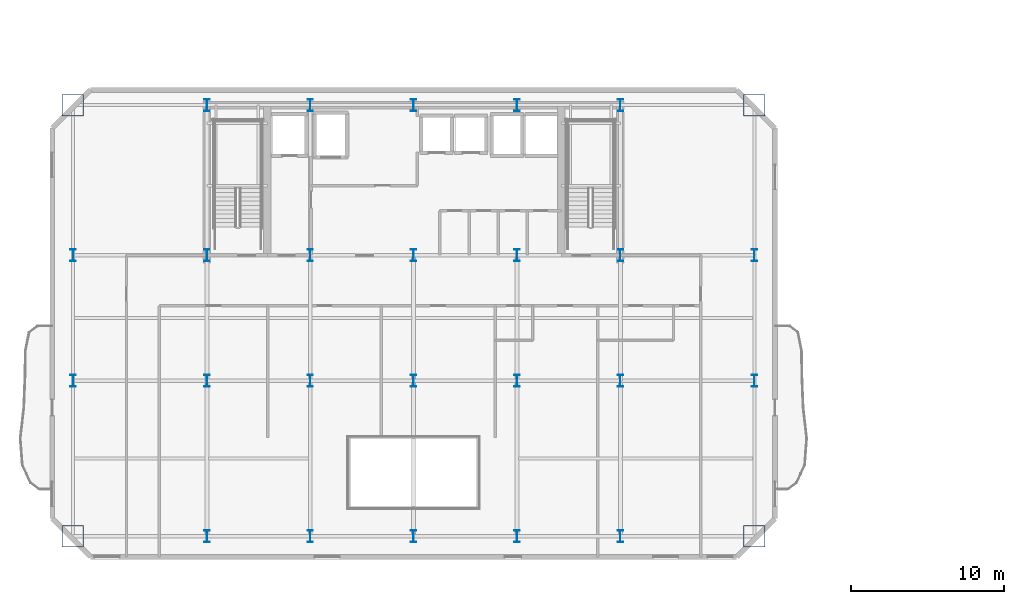
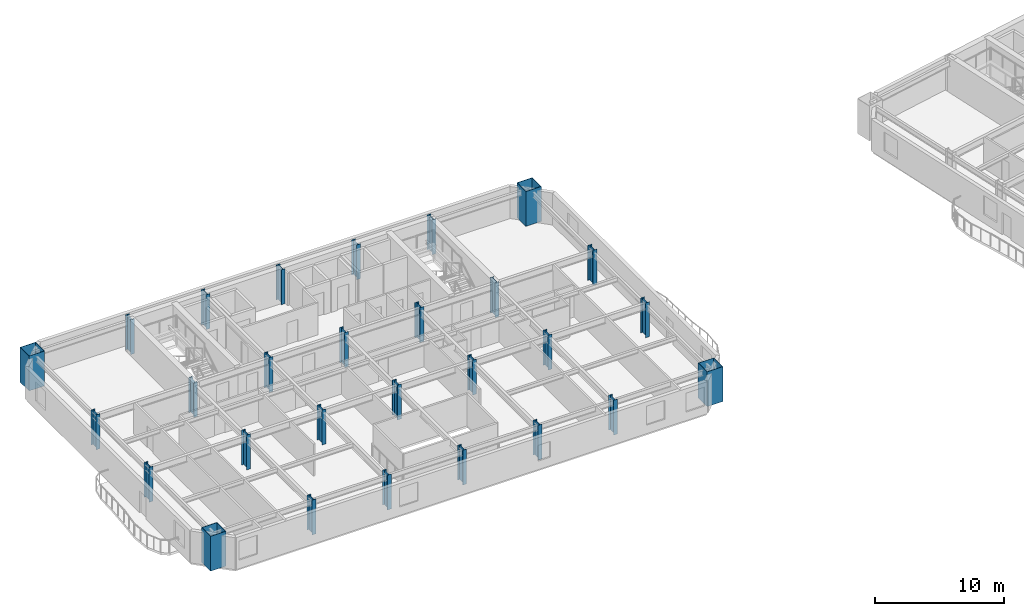
# One storey, part 1 of 13: 28 columns.
"""IFC4 building model written with IfcOpenShell, lengths in metres."""

from ifc_helpers import new_model, si_unit, direction, frame, origin, origin_2d, place, context, subcontext, project, spatial, hollow_rectangle, i_section, extrude, material, material_profile, profile_set, type_object, element, save


model = new_model("IFC4")

# Units and contexts
model_context = context("Model", 3, precision=1e-05, world=origin(), true_north=direction((0.0, 1.0)))
body_context = subcontext(model_context, "Body", "Model", "MODEL_VIEW")
ifc_project = project(units=[si_unit("LENGTHUNIT", "METRE"), si_unit("AREAUNIT", "SQUARE_METRE"), si_unit("VOLUMEUNIT", "CUBIC_METRE"), si_unit("PLANEANGLEUNIT", "RADIAN"), si_unit("MASSUNIT", "GRAM", prefix="KILO")], contexts=[model_context])

# Site, building, storey
site_placement = place(None, origin())
site = spatial("IfcSite", under=ifc_project, at=site_placement, CompositionType="ELEMENT")
building_placement = place(site_placement, origin())
building = spatial("IfcBuilding", under=site, at=building_placement, Name="Haevon Station Towers", CompositionType="ELEMENT")
storey_placement = place(building_placement, frame((0.0, 0.0, 96.60009765625)))
storey = spatial("IfcBuildingStorey", under=building, at=storey_placement, Name="L25", CompositionType="ELEMENT", Elevation=96.60009765625)

# Columns
ifc_material = material(Name="Steel S460", Category="steel")
ifc_material_profile_1 = material_profile(ifc_material, hollow_rectangle(XDim=1.39990234375, YDim=1.39990234375, WallThickness=0.035888671875, at=origin_2d()), Name="BOX-1400x1400x36")
ifc_profile_set_1 = profile_set([ifc_material_profile_1], Name="Steel S460")
column_type_1 = type_object("IfcColumnType", Name="COL-MC3", PredefinedType="COLUMN", material=ifc_profile_set_1)
for number, where, z_axis, x_axis, name in (
    (1, (15.25, 19.85009765625, 0.0), (0.0, 0.0, 1.0), (1.0, 0.0, 0.0), "COL-T1-L25-01-01"),
    (2, (15.25, 48.0, 0.0), (0.0, 0.0, 1.0), (1.0, 0.0, 0.0), "COL-T1-L25-01-04"),
    (3, (59.75, 19.85009765625, 0.0), (0.0, 0.0, 1.0), (1.0, 0.0, 0.0), "COL-T1-L25-07-01"),
    (4, (59.75, 48.0, 0.0), (0.0, 0.0, 1.0), (1.0, 0.0, 0.0), "COL-T1-L25-07-04"),
):
    element("IfcColumn", number, at=place(storey_placement, frame(where, z_axis=z_axis, x_axis=x_axis)), inside=storey, type_object=column_type_1, Name=name, PredefinedType="COLUMN", context=body_context, shape_type="SweptSolid", body=[
        extrude(hollow_rectangle(XDim=1.39990234375, YDim=1.39990234375, WallThickness=0.035888671875, at=origin_2d()), origin(), (0.0, 0.0, 1.0), 3.2998046875),
    ])
ifc_material_profile_2 = material_profile(ifc_material, i_section(OverallWidth=0.35009765625, OverallDepth=0.800048828125, WebThickness=0.01806640625, FlangeThickness=0.031982421875, at=origin_2d()), Name="H-800x350x18x32")
ifc_profile_set_2 = profile_set([ifc_material_profile_2], Name="Steel S460")
column_type_2 = type_object("IfcColumnType", Name="COL-TW2", PredefinedType="COLUMN", material=ifc_profile_set_2)
for number, where, z_axis, x_axis, name in (
    (5, (15.25, 30.0, 0.0), (0.0, 0.0, 1.0), (1.0, 0.0, 0.0), "COL-T1-L25-01-02"),
    (6, (15.25, 38.199951171875, 0.0), (0.0, 0.0, 1.0), (1.0, 0.0, 0.0), "COL-T1-L25-01-03"),
    (7, (24.0, 19.85009765625, 0.0), (0.0, 0.0, 1.0), (1.0, 0.0, 0.0), "COL-T1-L25-02-01"),
    (8, (24.0, 30.0, 0.0), (0.0, 0.0, 1.0), (1.0, 0.0, 0.0), "COL-T1-L25-02-02"),
    (9, (24.0, 38.199951171875, 0.0), (0.0, 0.0, 1.0), (1.0, 0.0, 0.0), "COL-T1-L25-02-03"),
    (10, (24.0, 48.0, 0.0), (0.0, 0.0, 1.0), (1.0, 0.0, 0.0), "COL-T1-L25-02-04"),
    (11, (30.75, 19.85009765625, 0.0), (0.0, 0.0, 1.0), (1.0, 0.0, 0.0), "COL-T1-L25-03-01"),
    (12, (30.75, 30.0, 0.0), (0.0, 0.0, 1.0), (1.0, 0.0, 0.0), "COL-T1-L25-03-02"),
    (13, (30.75, 38.199951171875, 0.0), (0.0, 0.0, 1.0), (1.0, 0.0, 0.0), "COL-T1-L25-03-03"),
    (14, (30.75, 48.0, 0.0), (0.0, 0.0, 1.0), (1.0, 0.0, 0.0), "COL-T1-L25-03-04"),
    (15, (37.5, 19.85009765625, 0.0), (0.0, 0.0, 1.0), (1.0, 0.0, 0.0), "COL-T1-L25-04-01"),
    (16, (37.5, 30.0, 0.0), (0.0, 0.0, 1.0), (1.0, 0.0, 0.0), "COL-T1-L25-04-02"),
    (17, (37.5, 38.199951171875, 0.0), (0.0, 0.0, 1.0), (1.0, 0.0, 0.0), "COL-T1-L25-04-03"),
    (18, (37.5, 48.0, 0.0), (0.0, 0.0, 1.0), (1.0, 0.0, 0.0), "COL-T1-L25-04-04"),
    (19, (44.25, 19.85009765625, 0.0), (0.0, 0.0, 1.0), (1.0, 0.0, 0.0), "COL-T1-L25-05-01"),
    (20, (44.25, 30.0, 0.0), (0.0, 0.0, 1.0), (1.0, 0.0, 0.0), "COL-T1-L25-05-02"),
    (21, (44.25, 38.199951171875, 0.0), (0.0, 0.0, 1.0), (1.0, 0.0, 0.0), "COL-T1-L25-05-03"),
    (22, (44.25, 48.0, 0.0), (0.0, 0.0, 1.0), (1.0, 0.0, 0.0), "COL-T1-L25-05-04"),
    (23, (51.0, 19.85009765625, 0.0), (0.0, 0.0, 1.0), (1.0, 0.0, 0.0), "COL-T1-L25-06-01"),
    (24, (51.0, 30.0, 0.0), (0.0, 0.0, 1.0), (1.0, 0.0, 0.0), "COL-T1-L25-06-02"),
    (25, (51.0, 38.199951171875, 0.0), (0.0, 0.0, 1.0), (1.0, 0.0, 0.0), "COL-T1-L25-06-03"),
    (26, (51.0, 48.0, 0.0), (0.0, 0.0, 1.0), (1.0, 0.0, 0.0), "COL-T1-L25-06-04"),
    (27, (59.75, 30.0, 0.0), (0.0, 0.0, 1.0), (1.0, 0.0, 0.0), "COL-T1-L25-07-02"),
    (28, (59.75, 38.199951171875, 0.0), (0.0, 0.0, 1.0), (1.0, 0.0, 0.0), "COL-T1-L25-07-03"),
):
    element("IfcColumn", number, at=place(storey_placement, frame(where, z_axis=z_axis, x_axis=x_axis)), inside=storey, type_object=column_type_2, Name=name, PredefinedType="COLUMN", context=body_context, shape_type="SweptSolid", body=[
        extrude(i_section(OverallWidth=0.35009765625, OverallDepth=0.800048828125, WebThickness=0.01806640625, FlangeThickness=0.031982421875, at=origin_2d()), origin(), (0.0, 0.0, 1.0), 3.2998046875),
    ])

save(model, "model.ifc")
